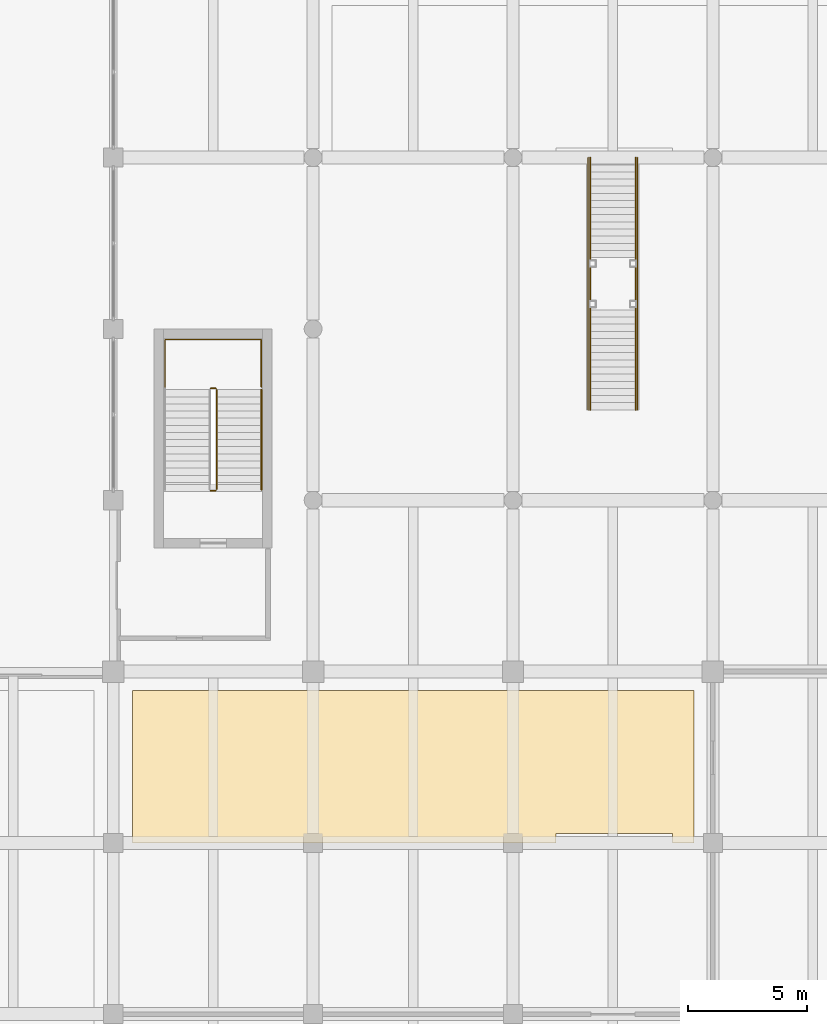
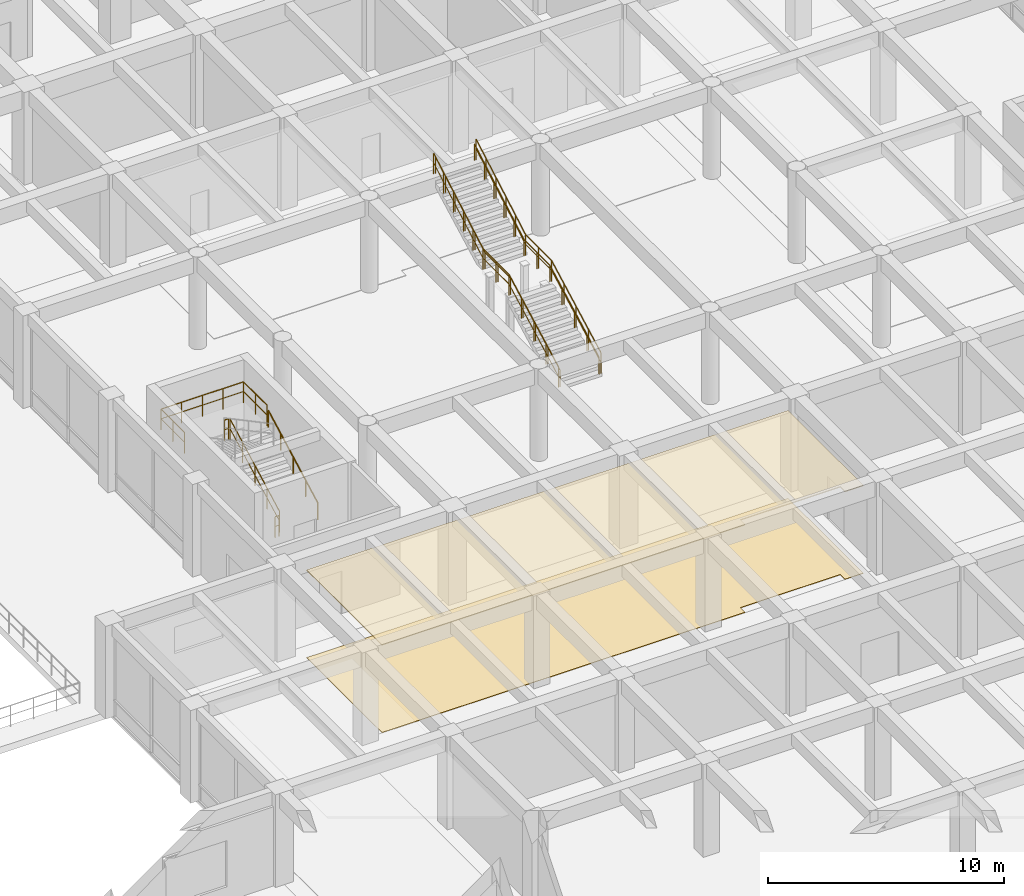
# One storey, part 42 of 49: 9 railings, 2 coverings.
"""IFC4 building model written with IfcOpenShell, lengths in metres."""

from ifc_helpers import new_model, si_unit, direction, frame, origin, origin_2d, place, context, subcontext, project, spatial, polyline, circle, outline, extrude, material, layer, layer_set, type_object, element, save


model = new_model("IFC4")

# Units and contexts
model_context = context("Model", 3, precision=1e-05, world=origin(), true_north=direction((0.0, 1.0)))
body_context = subcontext(model_context, "Body", "Model", "MODEL_VIEW")
ifc_project = project(units=[si_unit("LENGTHUNIT", "METRE"), si_unit("AREAUNIT", "SQUARE_METRE"), si_unit("VOLUMEUNIT", "CUBIC_METRE"), si_unit("PLANEANGLEUNIT", "RADIAN"), si_unit("MASSUNIT", "GRAM", prefix="KILO")], contexts=[model_context])

# Site, building, storey
site_placement = place(None, origin())
site = spatial("IfcSite", under=ifc_project, at=site_placement, CompositionType="ELEMENT")
building_placement = place(site_placement, origin())
building = spatial("IfcBuilding", under=site, at=building_placement, Name="Kenerak Square Central Library", CompositionType="ELEMENT")
storey_placement = place(building_placement, origin())
storey = spatial("IfcBuildingStorey", under=building, at=storey_placement, Name="L00", CompositionType="ELEMENT", Elevation=0.0)

# Coverings
ifc_material_1 = material(Name="Chengal hardwood timber SG1", Category="wood")
ifc_layer_1 = layer(ifc_material_1, 0.044921875)
ifc_layer_set_1 = layer_set([ifc_layer_1], Name="Chengal hardwood timber SG1")
covering_type_1 = type_object("IfcCoveringType", Name="Perforated Chengal Acoustic Ceiling CV-CEIL", PredefinedType="CEILING", material=ifc_layer_set_1)
covering_1_placement = place(storey_placement, frame((0.0, 0.0, 4.530029296875)))
element("IfcCovering", 1, at=covering_1_placement, inside=storey, type_object=covering_type_1, Name="Acoustic Ceiling L00-02", PredefinedType="CEILING", context=body_context, shape_type="SweptSolid", body=[
    extrude(outline(polyline([(90.300048828125, 46.0), (85.39990234375, 46.0), (85.39990234375, 45.60009765625), (67.60009765625, 45.60009765625), (67.60009765625, 52.0), (91.199951171875, 52.0), (91.199951171875, 45.60009765625), (90.300048828125, 45.60009765625), (90.300048828125, 46.0)])), origin(), (0.0, 0.0, 1.0), 0.044921875),
])
ifc_material_2 = material(Name="Polished granite aggregate terrazzo", Category="masonry")
ifc_layer_2 = layer(ifc_material_2, 0.02490234375)
ifc_layer_set_2 = layer_set([ifc_layer_2], Name="Polished granite aggregate terrazzo")
covering_type_2 = type_object("IfcCoveringType", Name="Polished Terrazzo Reading Floor Finish CV-FLR", PredefinedType="FLOORING", material=ifc_layer_set_2)
covering_2_placement = place(storey_placement, origin())
element("IfcCovering", 2, at=covering_2_placement, inside=storey, type_object=covering_type_2, Name="Terrazzo Floor Finish L00-02", PredefinedType="FLOORING", context=body_context, shape_type="SweptSolid", body=[
    extrude(outline(polyline([(90.300048828125, 46.0), (85.39990234375, 46.0), (85.39990234375, 45.60009765625), (67.60009765625, 45.60009765625), (67.60009765625, 52.0), (91.199951171875, 52.0), (91.199951171875, 45.60009765625), (90.300048828125, 45.60009765625), (90.300048828125, 46.0)])), origin(), (0.0, 0.0, 1.0), 0.02490234375),
])

# Railings
ifc_material_3 = material(Name="Steel S355", Category="steel")
railing_type_1 = type_object("IfcRailingType", Name="Safety Guardrail GR-1100 S355", PredefinedType="GUARDRAIL", material=ifc_material_3)
railing_1_placement = place(storey_placement, frame((71.14990234375, 60.449951171875, 0.159912109375)))
element("IfcRailing", 3, at=railing_1_placement, inside=storey, type_object=railing_type_1, Name="L00 ST-08 stair guard 1", PredefinedType="GUARDRAIL", context=body_context, shape_type="SweptSolid", body=[
    extrude(circle(Radius=0.02392578125, at=origin_2d()), frame((0.0, 0.0, 1.076171875), z_axis=(0.0, 0.882351521365, 0.470590897432), x_axis=(-1.0, 0.0, 0.0)), (0.0, 0.0, 1.0), 4.760009765625),
    extrude(circle(Radius=0.01806640625, at=origin_2d()), frame((0.0, 0.0, 0.572021484375), z_axis=(0.0, 0.882351521365, 0.470590897432), x_axis=(-1.0, 0.0, 0.0)), (0.0, 0.0, 1.0), 4.760009765625),
    extrude(circle(Radius=0.02099609375, at=origin_2d()), origin(), (0.0, 0.0, 1.0), 1.052001953125),
    extrude(circle(Radius=0.02099609375, at=origin_2d()), frame((0.0, 1.050048828125, 0.56005859375)), (0.0, 0.0, 1.0), 1.052001953125),
    extrude(circle(Radius=0.02099609375, at=origin_2d()), frame((0.0, 2.10009765625, 1.1201171875)), (0.0, 0.0, 1.0), 1.052001953125),
    extrude(circle(Radius=0.02099609375, at=origin_2d()), frame((0.0, 3.14990234375, 1.679931640625)), (0.0, 0.0, 1.0), 1.052001953125),
    extrude(circle(Radius=0.02099609375, at=origin_2d()), frame((0.0, 4.199951171875, 2.239990234375)), (0.0, 0.0, 1.0), 1.052001953125),
])
for number, where, name in (
    (4, (71.10009765625, 64.699951171875, 2.39990234375), "L00 ST-08 stair guard 2"),
    (5, (71.10009765625, 60.39990234375, 0.0), "L00 ST-08 stair guard 4"),
):
    element("IfcRailing", number, at=place(storey_placement, frame(where)), inside=storey, type_object=railing_type_1, Name=name, PredefinedType="GUARDRAIL", context=body_context, shape_type="SweptSolid", body=[
        extrude(circle(Radius=0.02392578125, at=origin_2d()), frame((0.0, 0.0, 1.076171875), z_axis=(-1.0, 0.0, 0.0), x_axis=(0.0, -1.0, 0.0)), (0.0, 0.0, 1.0), 0.2001953125),
        extrude(circle(Radius=0.01806640625, at=origin_2d()), frame((0.0, 0.0, 0.572021484375), z_axis=(-1.0, 0.0, 0.0), x_axis=(0.0, -1.0, 0.0)), (0.0, 0.0, 1.0), 0.2001953125),
        extrude(circle(Radius=0.02099609375, at=origin_2d()), origin(), (0.0, 0.0, 1.0), 1.052001953125),
        extrude(circle(Radius=0.02099609375, at=origin_2d()), frame((-0.2001953125, 0.0, 0.0)), (0.0, 0.0, 1.0), 1.052001953125),
    ])
railing_2_placement = place(storey_placement, frame((68.97998046875, 64.75, 2.39990234375)))
element("IfcRailing", 6, at=railing_2_placement, inside=storey, type_object=railing_type_1, Name="Stair Half-Landing Guard ST-08 L00", PredefinedType="GUARDRAIL", context=body_context, shape_type="SweptSolid", body=[
    extrude(circle(Radius=0.02392578125, at=origin_2d()), frame((0.0, 0.0, 1.076171875), z_axis=(0.0, 1.0, 0.0), x_axis=(-1.0, 0.0, 0.0)), (0.0, 0.0, 1.0), 2.0),
    extrude(circle(Radius=0.01806640625, at=origin_2d()), frame((0.0, 0.0, 0.572021484375), z_axis=(0.0, 1.0, 0.0), x_axis=(-1.0, 0.0, 0.0)), (0.0, 0.0, 1.0), 2.0),
    extrude(circle(Radius=0.02392578125, at=origin_2d()), frame((0.0, 2.0, 1.076171875), z_axis=(1.0, 0.0, 0.0), x_axis=(0.0, 1.0, 0.0)), (0.0, 0.0, 1.0), 4.0400390625),
    extrude(circle(Radius=0.01806640625, at=origin_2d()), frame((0.0, 2.0, 0.572021484375), z_axis=(1.0, 0.0, 0.0), x_axis=(0.0, 1.0, 0.0)), (0.0, 0.0, 1.0), 4.0400390625),
    extrude(circle(Radius=0.02392578125, at=origin_2d()), frame((4.0400390625, 2.0, 1.076171875), z_axis=(0.0, -1.0, 0.0), x_axis=(1.0, 0.0, 0.0)), (0.0, 0.0, 1.0), 2.0),
    extrude(circle(Radius=0.01806640625, at=origin_2d()), frame((4.0400390625, 2.0, 0.572021484375), z_axis=(0.0, -1.0, 0.0), x_axis=(1.0, 0.0, 0.0)), (0.0, 0.0, 1.0), 2.0),
    extrude(circle(Radius=0.02099609375, at=origin_2d()), origin(), (0.0, 0.0, 1.0), 1.052001953125),
    extrude(circle(Radius=0.02099609375, at=origin_2d()), frame((0.0, 1.0, 0.0)), (0.0, 0.0, 1.0), 1.052001953125),
    extrude(circle(Radius=0.02099609375, at=origin_2d()), frame((0.0, 2.0, 0.0)), (0.0, 0.0, 1.0), 1.052001953125),
    extrude(circle(Radius=0.02099609375, at=origin_2d()), frame((1.010009765625, 2.0, 0.0)), (0.0, 0.0, 1.0), 1.052001953125),
    extrude(circle(Radius=0.02099609375, at=origin_2d()), frame((2.02001953125, 2.0, 0.0)), (0.0, 0.0, 1.0), 1.052001953125),
    extrude(circle(Radius=0.02099609375, at=origin_2d()), frame((3.030029296875, 2.0, 0.0)), (0.0, 0.0, 1.0), 1.052001953125),
    extrude(circle(Radius=0.02099609375, at=origin_2d()), frame((4.0400390625, 2.0, 0.0)), (0.0, 0.0, 1.0), 1.052001953125),
    extrude(circle(Radius=0.02099609375, at=origin_2d()), frame((4.0400390625, 1.0, 0.0)), (0.0, 0.0, 1.0), 1.052001953125),
    extrude(circle(Radius=0.02099609375, at=origin_2d()), frame((4.0400390625, 0.0, 0.0)), (0.0, 0.0, 1.0), 1.052001953125),
])
railing_3_placement = place(storey_placement, frame((86.760009765625, 63.800048828125, 0.159912109375)))
element("IfcRailing", 7, at=railing_3_placement, inside=storey, type_object=railing_type_1, Name="Feature Stair Guardrail ST-F1 W", PredefinedType="GUARDRAIL", context=body_context, shape_type="SweptSolid", body=[
    extrude(circle(Radius=0.02392578125, at=origin_2d()), frame((0.0, 0.0, 1.076171875), z_axis=(0.0, 0.882351521365, 0.470590897432), x_axis=(-1.0, 0.0, 0.0)), (0.0, 0.0, 1.0), 4.760009765625),
    extrude(circle(Radius=0.01806640625, at=origin_2d()), frame((0.0, 0.0, 0.572021484375), z_axis=(0.0, 0.882351521365, 0.470590897432), x_axis=(-1.0, 0.0, 0.0)), (0.0, 0.0, 1.0), 4.760009765625),
    extrude(circle(Radius=0.02392578125, at=origin_2d()), frame((0.0, 4.199951171875, 3.31591796875), z_axis=(0.0, 1.0, 0.0), x_axis=(-1.0, 0.0, 0.0)), (0.0, 0.0, 1.0), 2.199951171875),
    extrude(circle(Radius=0.01806640625, at=origin_2d()), frame((0.0, 4.199951171875, 2.81201171875), z_axis=(0.0, 1.0, 0.0), x_axis=(-1.0, 0.0, 0.0)), (0.0, 0.0, 1.0), 2.199951171875),
    extrude(circle(Radius=0.02392578125, at=origin_2d()), frame((0.0, 6.39990234375, 3.31591796875), z_axis=(0.0, 0.868227612608, 0.496166114024), x_axis=(-1.0, 0.0, 0.0)), (0.0, 0.0, 1.0), 4.83740234375),
    extrude(circle(Radius=0.01806640625, at=origin_2d()), frame((0.0, 6.39990234375, 2.81201171875), z_axis=(0.0, 0.868227612608, 0.496166114024), x_axis=(-1.0, 0.0, 0.0)), (0.0, 0.0, 1.0), 4.83740234375),
    extrude(circle(Radius=0.02099609375, at=origin_2d()), origin(), (0.0, 0.0, 1.0), 1.052001953125),
    extrude(circle(Radius=0.02099609375, at=origin_2d()), frame((0.0, 1.050048828125, 0.56005859375)), (0.0, 0.0, 1.0), 1.052001953125),
    extrude(circle(Radius=0.02099609375, at=origin_2d()), frame((0.0, 2.10009765625, 1.1201171875)), (0.0, 0.0, 1.0), 1.052001953125),
    extrude(circle(Radius=0.02099609375, at=origin_2d()), frame((0.0, 3.14990234375, 1.679931640625)), (0.0, 0.0, 1.0), 1.052001953125),
    extrude(circle(Radius=0.02099609375, at=origin_2d()), frame((0.0, 4.199951171875, 2.239990234375)), (0.0, 0.0, 1.0), 1.052001953125),
    extrude(circle(Radius=0.02099609375, at=origin_2d()), frame((0.0, 5.2998046875, 2.239990234375)), (0.0, 0.0, 1.0), 1.052001953125),
    extrude(circle(Radius=0.02099609375, at=origin_2d()), frame((0.0, 6.39990234375, 2.239990234375)), (0.0, 0.0, 1.0), 1.052001953125),
    extrude(circle(Radius=0.02099609375, at=origin_2d()), frame((0.0, 7.239990234375, 2.719970703125)), (0.0, 0.0, 1.0), 1.052001953125),
    extrude(circle(Radius=0.02099609375, at=origin_2d()), frame((0.0, 8.079833984375, 3.199951171875)), (0.0, 0.0, 1.0), 1.052001953125),
    extrude(circle(Radius=0.02099609375, at=origin_2d()), frame((0.0, 8.919921875, 3.68017578125)), (0.0, 0.0, 1.0), 1.052001953125),
    extrude(circle(Radius=0.02099609375, at=origin_2d()), frame((0.0, 9.759765625, 4.16015625)), (0.0, 0.0, 1.0), 1.052001953125),
    extrude(circle(Radius=0.02099609375, at=origin_2d()), frame((0.0, 10.599853515625, 4.64013671875)), (0.0, 0.0, 1.0), 1.052001953125),
])
railing_4_placement = place(storey_placement, frame((88.840087890625, 63.800048828125, 0.159912109375)))
element("IfcRailing", 8, at=railing_4_placement, inside=storey, type_object=railing_type_1, Name="Feature Stair Guardrail ST-F1 E", PredefinedType="GUARDRAIL", context=body_context, shape_type="SweptSolid", body=[
    extrude(circle(Radius=0.02392578125, at=origin_2d()), frame((0.0, 0.0, 1.076171875), z_axis=(0.0, 0.882351521365, 0.470590897432), x_axis=(-1.0, 0.0, 0.0)), (0.0, 0.0, 1.0), 4.760009765625),
    extrude(circle(Radius=0.01806640625, at=origin_2d()), frame((0.0, 0.0, 0.572021484375), z_axis=(0.0, 0.882351521365, 0.470590897432), x_axis=(-1.0, 0.0, 0.0)), (0.0, 0.0, 1.0), 4.760009765625),
    extrude(circle(Radius=0.02392578125, at=origin_2d()), frame((0.0, 4.199951171875, 3.31591796875), z_axis=(0.0, 1.0, 0.0), x_axis=(-1.0, 0.0, 0.0)), (0.0, 0.0, 1.0), 2.199951171875),
    extrude(circle(Radius=0.01806640625, at=origin_2d()), frame((0.0, 4.199951171875, 2.81201171875), z_axis=(0.0, 1.0, 0.0), x_axis=(-1.0, 0.0, 0.0)), (0.0, 0.0, 1.0), 2.199951171875),
    extrude(circle(Radius=0.02392578125, at=origin_2d()), frame((0.0, 6.39990234375, 3.31591796875), z_axis=(0.0, 0.868227612608, 0.496166114024), x_axis=(-1.0, 0.0, 0.0)), (0.0, 0.0, 1.0), 4.83740234375),
    extrude(circle(Radius=0.01806640625, at=origin_2d()), frame((0.0, 6.39990234375, 2.81201171875), z_axis=(0.0, 0.868227612608, 0.496166114024), x_axis=(-1.0, 0.0, 0.0)), (0.0, 0.0, 1.0), 4.83740234375),
    extrude(circle(Radius=0.02099609375, at=origin_2d()), origin(), (0.0, 0.0, 1.0), 1.052001953125),
    extrude(circle(Radius=0.02099609375, at=origin_2d()), frame((0.0, 1.050048828125, 0.56005859375)), (0.0, 0.0, 1.0), 1.052001953125),
    extrude(circle(Radius=0.02099609375, at=origin_2d()), frame((0.0, 2.10009765625, 1.1201171875)), (0.0, 0.0, 1.0), 1.052001953125),
    extrude(circle(Radius=0.02099609375, at=origin_2d()), frame((0.0, 3.14990234375, 1.679931640625)), (0.0, 0.0, 1.0), 1.052001953125),
    extrude(circle(Radius=0.02099609375, at=origin_2d()), frame((0.0, 4.199951171875, 2.239990234375)), (0.0, 0.0, 1.0), 1.052001953125),
    extrude(circle(Radius=0.02099609375, at=origin_2d()), frame((0.0, 5.2998046875, 2.239990234375)), (0.0, 0.0, 1.0), 1.052001953125),
    extrude(circle(Radius=0.02099609375, at=origin_2d()), frame((0.0, 6.39990234375, 2.239990234375)), (0.0, 0.0, 1.0), 1.052001953125),
    extrude(circle(Radius=0.02099609375, at=origin_2d()), frame((0.0, 7.239990234375, 2.719970703125)), (0.0, 0.0, 1.0), 1.052001953125),
    extrude(circle(Radius=0.02099609375, at=origin_2d()), frame((0.0, 8.079833984375, 3.199951171875)), (0.0, 0.0, 1.0), 1.052001953125),
    extrude(circle(Radius=0.02099609375, at=origin_2d()), frame((0.0, 8.919921875, 3.68017578125)), (0.0, 0.0, 1.0), 1.052001953125),
    extrude(circle(Radius=0.02099609375, at=origin_2d()), frame((0.0, 9.759765625, 4.16015625)), (0.0, 0.0, 1.0), 1.052001953125),
    extrude(circle(Radius=0.02099609375, at=origin_2d()), frame((0.0, 10.599853515625, 4.64013671875)), (0.0, 0.0, 1.0), 1.052001953125),
])
railing_type_2 = type_object("IfcRailingType", Name="Stair Handrail HR-880 S355", PredefinedType="HANDRAIL", material=ifc_material_3)
railing_5_placement = place(storey_placement, frame((73.030029296875, 60.449951171875, 0.159912109375)))
element("IfcRailing", 9, at=railing_5_placement, inside=storey, type_object=railing_type_2, Name="L00 ST-08 stair handrail 1", PredefinedType="HANDRAIL", context=body_context, shape_type="SweptSolid", body=[
    extrude(circle(Radius=0.02392578125, at=origin_2d()), frame((0.0, 0.0, 0.85595703125), z_axis=(0.0, 0.882351521365, 0.470590897432), x_axis=(-1.0, 0.0, 0.0)), (0.0, 0.0, 1.0), 4.760009765625),
    extrude(circle(Radius=0.02099609375, at=origin_2d()), origin(), (0.0, 0.0, 1.0), 0.831787109375),
    extrude(circle(Radius=0.02099609375, at=origin_2d()), frame((0.0, 1.050048828125, 0.56005859375)), (0.0, 0.0, 1.0), 0.831787109375),
    extrude(circle(Radius=0.02099609375, at=origin_2d()), frame((0.0, 2.10009765625, 1.1201171875)), (0.0, 0.0, 1.0), 0.831787109375),
    extrude(circle(Radius=0.02099609375, at=origin_2d()), frame((0.0, 3.14990234375, 1.679931640625)), (0.0, 0.0, 1.0), 0.831787109375),
    extrude(circle(Radius=0.02099609375, at=origin_2d()), frame((0.0, 4.199951171875, 2.239990234375)), (0.0, 0.0, 1.0), 0.831787109375),
])
railing_6_placement = place(storey_placement, frame((86.84326171875, 63.800048828125, 0.159912109375)))
element("IfcRailing", 10, at=railing_6_placement, inside=storey, type_object=railing_type_2, Name="Feature Stair Handrail ST-F1 W", PredefinedType="HANDRAIL", context=body_context, shape_type="SweptSolid", body=[
    extrude(circle(Radius=0.02392578125, at=origin_2d()), frame((0.0, 0.0, 0.85595703125), z_axis=(0.0, 0.882351521365, 0.470590897432), x_axis=(-1.0, 0.0, 0.0)), (0.0, 0.0, 1.0), 4.760009765625),
    extrude(circle(Radius=0.02392578125, at=origin_2d()), frame((0.0, 4.199951171875, 3.095703125), z_axis=(0.0, 1.0, 0.0), x_axis=(-1.0, 0.0, 0.0)), (0.0, 0.0, 1.0), 2.199951171875),
    extrude(circle(Radius=0.02392578125, at=origin_2d()), frame((0.0, 6.39990234375, 3.095703125), z_axis=(0.0, 0.868227612608, 0.496166114024), x_axis=(-1.0, 0.0, 0.0)), (0.0, 0.0, 1.0), 4.83740234375),
    extrude(circle(Radius=0.02099609375, at=origin_2d()), origin(), (0.0, 0.0, 1.0), 0.831787109375),
    extrude(circle(Radius=0.02099609375, at=origin_2d()), frame((0.0, 1.050048828125, 0.56005859375)), (0.0, 0.0, 1.0), 0.831787109375),
    extrude(circle(Radius=0.02099609375, at=origin_2d()), frame((0.0, 2.10009765625, 1.1201171875)), (0.0, 0.0, 1.0), 0.831787109375),
    extrude(circle(Radius=0.02099609375, at=origin_2d()), frame((0.0, 3.14990234375, 1.679931640625)), (0.0, 0.0, 1.0), 0.831787109375),
    extrude(circle(Radius=0.02099609375, at=origin_2d()), frame((0.0, 4.199951171875, 2.239990234375)), (0.0, 0.0, 1.0), 0.831787109375),
    extrude(circle(Radius=0.02099609375, at=origin_2d()), frame((0.0, 5.2998046875, 2.239990234375)), (0.0, 0.0, 1.0), 0.831787109375),
    extrude(circle(Radius=0.02099609375, at=origin_2d()), frame((0.0, 6.39990234375, 2.239990234375)), (0.0, 0.0, 1.0), 0.831787109375),
    extrude(circle(Radius=0.02099609375, at=origin_2d()), frame((0.0, 7.239990234375, 2.719970703125)), (0.0, 0.0, 1.0), 0.831787109375),
    extrude(circle(Radius=0.02099609375, at=origin_2d()), frame((0.0, 8.079833984375, 3.199951171875)), (0.0, 0.0, 1.0), 0.831787109375),
    extrude(circle(Radius=0.02099609375, at=origin_2d()), frame((0.0, 8.919921875, 3.68017578125)), (0.0, 0.0, 1.0), 0.831787109375),
    extrude(circle(Radius=0.02099609375, at=origin_2d()), frame((0.0, 9.759765625, 4.16015625)), (0.0, 0.0, 1.0), 0.831787109375),
    extrude(circle(Radius=0.02099609375, at=origin_2d()), frame((0.0, 10.599853515625, 4.64013671875)), (0.0, 0.0, 1.0), 0.831787109375),
])
railing_7_placement = place(storey_placement, frame((88.7568359375, 63.800048828125, 0.159912109375)))
element("IfcRailing", 11, at=railing_7_placement, inside=storey, type_object=railing_type_2, Name="Feature Stair Handrail ST-F1 E", PredefinedType="HANDRAIL", context=body_context, shape_type="SweptSolid", body=[
    extrude(circle(Radius=0.02392578125, at=origin_2d()), frame((0.0, 0.0, 0.85595703125), z_axis=(0.0, 0.882351521365, 0.470590897432), x_axis=(-1.0, 0.0, 0.0)), (0.0, 0.0, 1.0), 4.760009765625),
    extrude(circle(Radius=0.02392578125, at=origin_2d()), frame((0.0, 4.199951171875, 3.095703125), z_axis=(0.0, 1.0, 0.0), x_axis=(-1.0, 0.0, 0.0)), (0.0, 0.0, 1.0), 2.199951171875),
    extrude(circle(Radius=0.02392578125, at=origin_2d()), frame((0.0, 6.39990234375, 3.095703125), z_axis=(0.0, 0.868227612608, 0.496166114024), x_axis=(-1.0, 0.0, 0.0)), (0.0, 0.0, 1.0), 4.83740234375),
    extrude(circle(Radius=0.02099609375, at=origin_2d()), origin(), (0.0, 0.0, 1.0), 0.831787109375),
    extrude(circle(Radius=0.02099609375, at=origin_2d()), frame((0.0, 1.050048828125, 0.56005859375)), (0.0, 0.0, 1.0), 0.831787109375),
    extrude(circle(Radius=0.02099609375, at=origin_2d()), frame((0.0, 2.10009765625, 1.1201171875)), (0.0, 0.0, 1.0), 0.831787109375),
    extrude(circle(Radius=0.02099609375, at=origin_2d()), frame((0.0, 3.14990234375, 1.679931640625)), (0.0, 0.0, 1.0), 0.831787109375),
    extrude(circle(Radius=0.02099609375, at=origin_2d()), frame((0.0, 4.199951171875, 2.239990234375)), (0.0, 0.0, 1.0), 0.831787109375),
    extrude(circle(Radius=0.02099609375, at=origin_2d()), frame((0.0, 5.2998046875, 2.239990234375)), (0.0, 0.0, 1.0), 0.831787109375),
    extrude(circle(Radius=0.02099609375, at=origin_2d()), frame((0.0, 6.39990234375, 2.239990234375)), (0.0, 0.0, 1.0), 0.831787109375),
    extrude(circle(Radius=0.02099609375, at=origin_2d()), frame((0.0, 7.239990234375, 2.719970703125)), (0.0, 0.0, 1.0), 0.831787109375),
    extrude(circle(Radius=0.02099609375, at=origin_2d()), frame((0.0, 8.079833984375, 3.199951171875)), (0.0, 0.0, 1.0), 0.831787109375),
    extrude(circle(Radius=0.02099609375, at=origin_2d()), frame((0.0, 8.919921875, 3.68017578125)), (0.0, 0.0, 1.0), 0.831787109375),
    extrude(circle(Radius=0.02099609375, at=origin_2d()), frame((0.0, 9.759765625, 4.16015625)), (0.0, 0.0, 1.0), 0.831787109375),
    extrude(circle(Radius=0.02099609375, at=origin_2d()), frame((0.0, 10.599853515625, 4.64013671875)), (0.0, 0.0, 1.0), 0.831787109375),
])

save(model, "model.ifc")
